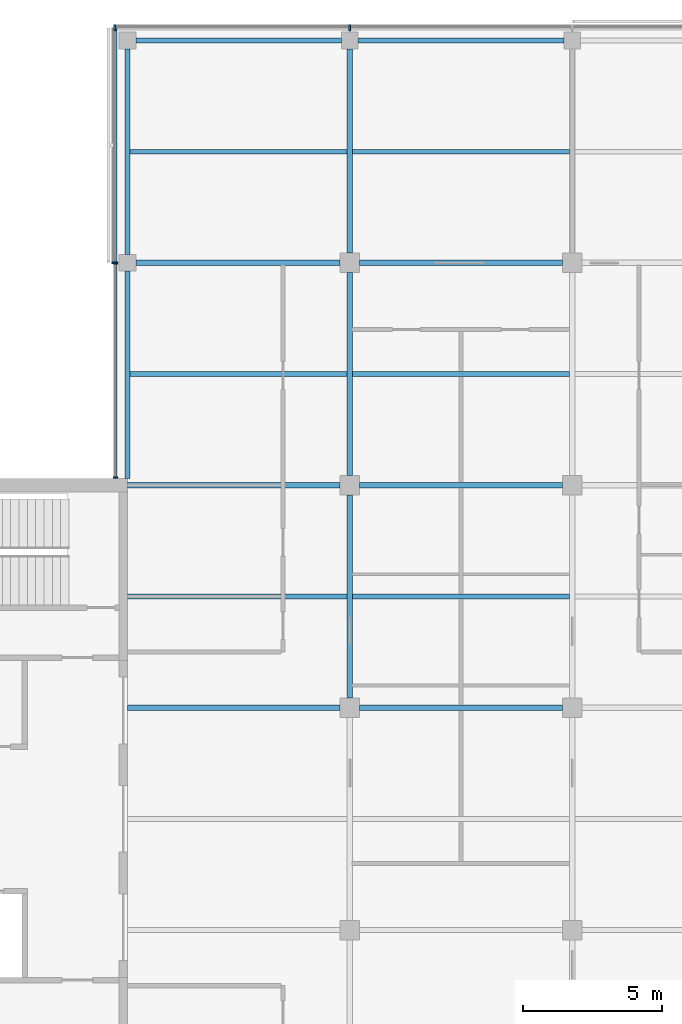
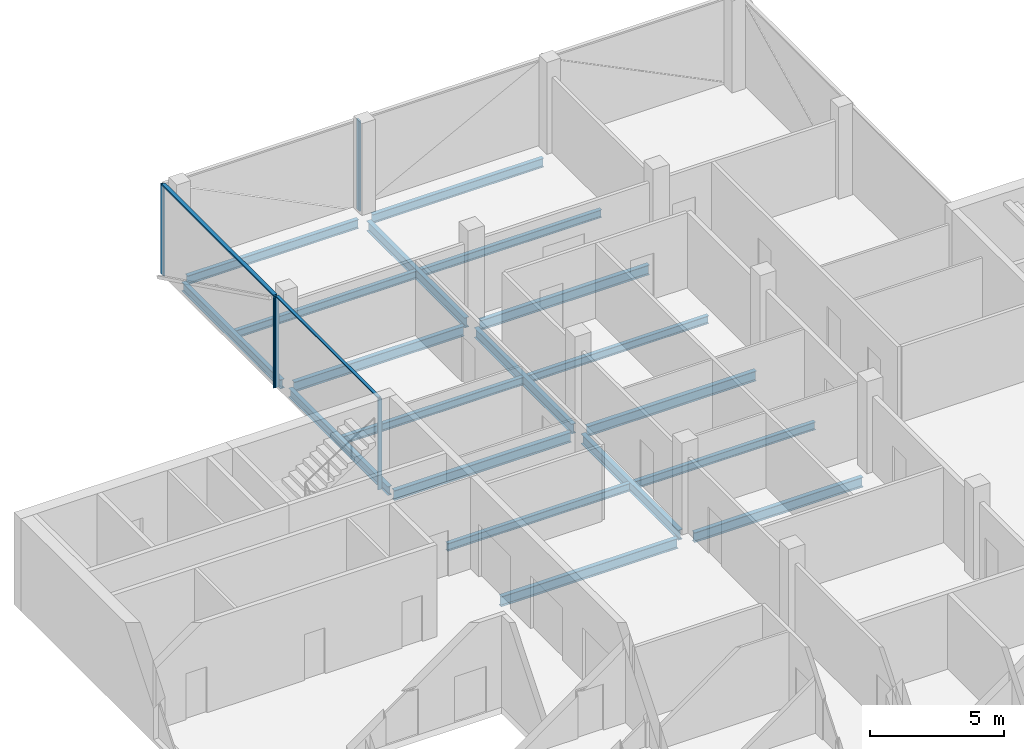
# One storey, part 5 of 16: 19 beams, 7 members, 3 elements without a shape of their own.
"""IFC4 building model written with IfcOpenShell, lengths in metres."""

from ifc_helpers import new_model, si_unit, direction, frame, origin, origin_2d, place, context, subcontext, project, spatial, rectangle, i_section, extrude, material, material_profile, profile_set, type_object, element, aggregate, save


model = new_model("IFC4")

# Units and contexts
model_context = context("Model", 3, precision=1e-05, world=origin(), true_north=direction((0.0, 1.0)))
body_context = subcontext(model_context, "Body", "Model", "MODEL_VIEW")
ifc_project = project(units=[si_unit("LENGTHUNIT", "METRE"), si_unit("AREAUNIT", "SQUARE_METRE"), si_unit("VOLUMEUNIT", "CUBIC_METRE"), si_unit("PLANEANGLEUNIT", "RADIAN"), si_unit("MASSUNIT", "GRAM", prefix="KILO")], contexts=[model_context])

# Site, building, storey
site_placement = place(None, origin())
site = spatial("IfcSite", under=ifc_project, at=site_placement, CompositionType="ELEMENT")
building_placement = place(site_placement, origin())
building = spatial("IfcBuilding", under=site, at=building_placement, Name="Crosswind Convention Tower", CompositionType="ELEMENT")
storey_placement = place(building_placement, frame((0.0, 0.0, 274.5)))
storey = spatial("IfcBuildingStorey", under=building, at=storey_placement, Name="L59", CompositionType="ELEMENT", Elevation=274.5)

# Beams
ifc_material_1 = material(Name="Steel S355", Category="steel")
ifc_material_profile_1 = material_profile(ifc_material_1, i_section(OverallWidth=0.177734375, OverallDepth=0.406494140625, WebThickness=0.0078125, FlangeThickness=0.0126953125, FilletRadius=0.01025390625, at=origin_2d()), Name="UB 406x178x60")
ifc_profile_set_1 = profile_set([ifc_material_profile_1], Name="Steel S355")
beam_type_1 = type_object("IfcBeamType", Name="Edge beam UB 406x178x60", PredefinedType="SPANDREL", material=ifc_profile_set_1)
beam_1_placement = place(storey_placement, frame((113.0, 112.25, -0.503173828125), z_axis=(0.0, 1.0, 0.0), x_axis=(-1.0, 0.0, 0.0)))
element("IfcBeam", 1, at=beam_1_placement, inside=storey, type_object=beam_type_1, Name="B15 L59 edge beam 3", PredefinedType="SPANDREL", context=body_context, shape_type="SweptSolid", body=[
    extrude(i_section(OverallWidth=0.177734375, OverallDepth=0.406494140625, WebThickness=0.0078125, FlangeThickness=0.0126953125, FilletRadius=0.01025390625, at=origin_2d()), origin(), (0.0, 0.0, 1.0), 7.449951171875),
])
for number, where, z_axis, x_axis, name in (
    (2, (113.0, 120.300048828125, -0.503173828125), (0.0, 1.0, 0.0), (-1.0, 0.0, 0.0), "B15 L59 edge beam 4"),
    (3, (113.300048828125, 128.0, -0.503173828125), (1.0, 0.0, 0.0), (0.0, 1.0, 0.0), "B15 L59 edge beam 6"),
    (4, (121.300048828125, 128.0, -0.503173828125), (1.0, 0.0, 0.0), (0.0, 1.0, 0.0), "B15 L59 edge beam 8"),
):
    element("IfcBeam", number, at=place(storey_placement, frame(where, z_axis=z_axis, x_axis=x_axis)), inside=storey, type_object=beam_type_1, Name=name, PredefinedType="SPANDREL", context=body_context, shape_type="SweptSolid", body=[
        extrude(i_section(OverallWidth=0.177734375, OverallDepth=0.406494140625, WebThickness=0.0078125, FlangeThickness=0.0126953125, FilletRadius=0.01025390625, at=origin_2d()), origin(), (0.0, 0.0, 1.0), 7.39990234375),
    ])
ifc_material_profile_2 = material_profile(ifc_material_1, i_section(OverallWidth=0.18994140625, OverallDepth=0.45361328125, WebThickness=0.008544921875, FlangeThickness=0.0126953125, FilletRadius=0.01025390625, at=origin_2d()), Name="UB 457x191x67")
ifc_profile_set_2 = profile_set([ifc_material_profile_2], Name="Steel S355")
beam_type_2 = type_object("IfcBeamType", Name="Girder UB 457x191x67", PredefinedType="BEAM", material=ifc_profile_set_2)
beam_2_placement = place(storey_placement, frame((113.300048828125, 120.0, -0.52685546875), z_axis=(1.0, 0.0, 0.0), x_axis=(0.0, 1.0, 0.0)))
element("IfcBeam", 5, at=beam_2_placement, inside=storey, type_object=beam_type_2, Name="B1 L59 girder 2", PredefinedType="BEAM", context=body_context, shape_type="SweptSolid", body=[
    extrude(i_section(OverallWidth=0.18994140625, OverallDepth=0.45361328125, WebThickness=0.008544921875, FlangeThickness=0.0126953125, FilletRadius=0.01025390625, at=origin_2d()), origin(), (0.0, 0.0, 1.0), 7.349853515625),
])
for number, where, z_axis, x_axis, name in (
    (6, (121.0, 104.35009765625, -0.52685546875), (0.0, 1.0, 0.0), (-1.0, 0.0, 0.0), "B1 L59 girder 7"),
    (7, (121.0, 112.35009765625, -0.52685546875), (0.0, 1.0, 0.0), (-1.0, 0.0, 0.0), "B1 L59 girder 8"),
):
    element("IfcBeam", number, at=place(storey_placement, frame(where, z_axis=z_axis, x_axis=x_axis)), inside=storey, type_object=beam_type_2, Name=name, PredefinedType="BEAM", context=body_context, shape_type="SweptSolid", body=[
        extrude(i_section(OverallWidth=0.18994140625, OverallDepth=0.45361328125, WebThickness=0.008544921875, FlangeThickness=0.0126953125, FilletRadius=0.01025390625, at=origin_2d()), origin(), (0.0, 0.0, 1.0), 7.2998046875),
    ])
beam_3_placement = place(storey_placement, frame((121.0, 120.35009765625, -0.52685546875), z_axis=(0.0, 1.0, 0.0), x_axis=(-1.0, 0.0, 0.0)))
element("IfcBeam", 8, at=beam_3_placement, inside=storey, type_object=beam_type_2, Name="B1 L59 girder 9", PredefinedType="BEAM", context=body_context, shape_type="SweptSolid", body=[
    extrude(i_section(OverallWidth=0.18994140625, OverallDepth=0.45361328125, WebThickness=0.008544921875, FlangeThickness=0.0126953125, FilletRadius=0.01025390625, at=origin_2d()), origin(), (0.0, 0.0, 1.0), 7.349853515625),
])
for number, where, z_axis, x_axis, name in (
    (9, (121.35009765625, 104.0, -0.52685546875), (1.0, 0.0, 0.0), (0.0, 1.0, 0.0), "B1 L59 girder 13"),
    (10, (121.35009765625, 112.0, -0.52685546875), (1.0, 0.0, 0.0), (0.0, 1.0, 0.0), "B1 L59 girder 14"),
    (11, (121.35009765625, 120.0, -0.52685546875), (1.0, 0.0, 0.0), (0.0, 1.0, 0.0), "B1 L59 girder 15"),
):
    element("IfcBeam", number, at=place(storey_placement, frame(where, z_axis=z_axis, x_axis=x_axis)), inside=storey, type_object=beam_type_2, Name=name, PredefinedType="BEAM", context=body_context, shape_type="SweptSolid", body=[
        extrude(i_section(OverallWidth=0.18994140625, OverallDepth=0.45361328125, WebThickness=0.008544921875, FlangeThickness=0.0126953125, FilletRadius=0.01025390625, at=origin_2d()), origin(), (0.0, 0.0, 1.0), 7.2998046875),
    ])
ifc_material_profile_3 = material_profile(ifc_material_1, i_section(OverallWidth=0.1904296875, OverallDepth=0.457275390625, WebThickness=0.009033203125, FlangeThickness=0.014404296875, FilletRadius=0.01025390625, at=origin_2d()), Name="UB 457x191x75")
ifc_profile_set_3 = profile_set([ifc_material_profile_3], Name="Steel S355")
beam_type_3 = type_object("IfcBeamType", Name="Girder at core wall UB 457x191x75", PredefinedType="BEAM", material=ifc_profile_set_3)
for number, where, z_axis, x_axis, name in (
    (12, (113.0, 104.0, -0.528564453125), (1.0, 0.0, 0.0), (0.0, 1.0, 0.0), "B22 L59 girder at core wall 3"),
    (13, (113.0, 112.0, -0.528564453125), (1.0, 0.0, 0.0), (0.0, 1.0, 0.0), "B22 L59 girder at core wall 4"),
):
    element("IfcBeam", number, at=place(storey_placement, frame(where, z_axis=z_axis, x_axis=x_axis)), inside=storey, type_object=beam_type_3, Name=name, PredefinedType="BEAM", context=body_context, shape_type="SweptSolid", body=[
        extrude(i_section(OverallWidth=0.1904296875, OverallDepth=0.457275390625, WebThickness=0.009033203125, FlangeThickness=0.014404296875, FilletRadius=0.01025390625, at=origin_2d()), origin(), (0.0, 0.0, 1.0), 7.64990234375),
    ])

# Curtain wall, members
ifc_material_2 = material(Name="Aluminium unitised curtain wall", Category="aluminium")
curtain_wall_type_1 = type_object("IfcCurtainWallType", Name="CORE END SLOT WALL 160", PredefinedType="USERDEFINED", material=ifc_material_2)
curtain_wall_1_placement = place(storey_placement, origin())
curtain_wall_1 = element("IfcCurtainWall", 14, at=curtain_wall_1_placement, inside=storey, type_object=curtain_wall_type_1, Name="CW6 L59 N-W.1-2 slot", ObjectType="UNITISED", PredefinedType="USERDEFINED")
ifc_material_3 = material(Name="Aluminium mullion", Category="aluminium")
ifc_material_profile_4 = material_profile(ifc_material_3, rectangle(XDim=0.159912109375, YDim=0.050048828125, at=origin_2d()), Name="AL 160X50")
ifc_profile_set_4 = profile_set([ifc_material_profile_4], Name="Aluminium mullion")
member_type_1 = type_object("IfcMemberType", Name="MULLION 50X160", PredefinedType="MULLION", material=ifc_profile_set_4)
member_1_placement = place(storey_placement, frame((112.570068359375, 119.97509765625, -0.300048828125), z_axis=(0.0, 0.0, 1.0), x_axis=(-1.0, 0.0, 0.0)))
member_1 = element("IfcMember", 15, at=member_1_placement, type_object=member_type_1, Name="CW6 mullion 1", PredefinedType="MULLION", context=body_context, shape_type="SweptSolid", body=[
    extrude(rectangle(XDim=0.159912109375, YDim=0.050048828125, at=origin_2d()), origin(), (0.0, 0.0, 1.0), 4.150146484375),
])
member_2_placement = place(storey_placement, frame((112.570068359375, 112.27490234375, -0.300048828125), z_axis=(0.0, 0.0, 1.0), x_axis=(-1.0, 0.0, 0.0)))
member_2 = element("IfcMember", 16, at=member_2_placement, type_object=member_type_1, Name="CW6 mullion 2", PredefinedType="MULLION", context=body_context, shape_type="SweptSolid", body=[
    extrude(rectangle(XDim=0.159912109375, YDim=0.050048828125, at=origin_2d()), origin(), (0.0, 0.0, 1.0), 4.150146484375),
])

curtain_wall_type_2 = type_object("IfcCurtainWallType", Name="OFFICE UNITISED WALL 220", PredefinedType="USERDEFINED", material=ifc_material_2)
curtain_wall_2_placement = place(storey_placement, origin())
curtain_wall_2 = element("IfcCurtainWall", 17, at=curtain_wall_2_placement, inside=storey, type_object=curtain_wall_type_2, Name="CW3 L59 N-TIP 1", ObjectType="UNITISED", PredefinedType="USERDEFINED")
ifc_material_profile_5 = material_profile(ifc_material_3, rectangle(XDim=0.219970703125, YDim=0.070068359375, at=origin_2d()), Name="AL 220X70")
ifc_profile_set_5 = profile_set([ifc_material_profile_5], Name="Aluminium mullion")
member_type_2 = type_object("IfcMemberType", Name="MULLION 70X220", PredefinedType="MULLION", material=ifc_profile_set_5)
member_3_placement = place(storey_placement, frame((121.0, 128.4599609375, -0.300048828125), z_axis=(0.0, 0.0, 1.0), x_axis=(0.0, 1.0, 0.0)))
member_3 = element("IfcMember", 18, at=member_3_placement, type_object=member_type_2, Name="CW3 mullion 3", PredefinedType="MULLION", context=body_context, shape_type="SweptSolid", body=[
    extrude(rectangle(XDim=0.219970703125, YDim=0.070068359375, at=origin_2d()), origin(), (0.0, 0.0, 1.0), 4.130126953125),
])
member_4_placement = place(storey_placement, frame((112.5400390625, 128.4599609375, -0.300048828125), z_axis=(0.0, 0.0, 1.0), x_axis=(0.0, 1.0, 0.0)))
member_4 = element("IfcMember", 19, at=member_4_placement, type_object=member_type_2, Name="CW3 mullion 4", PredefinedType="MULLION", context=body_context, shape_type="SweptSolid", body=[
    extrude(rectangle(XDim=0.219970703125, YDim=0.070068359375, at=origin_2d()), origin(), (0.0, 0.0, 1.0), 4.130126953125),
])
aggregate(curtain_wall_2, [member_3, member_4])

# Curtain wall, member
curtain_wall_3_placement = place(storey_placement, origin())
curtain_wall_3 = element("IfcCurtainWall", 20, at=curtain_wall_3_placement, inside=storey, type_object=curtain_wall_type_2, Name="CW3 L59 N-W 1", ObjectType="UNITISED", PredefinedType="USERDEFINED")
member_5_placement = place(storey_placement, frame((112.5400390625, 120.0, -0.300048828125), z_axis=(0.0, 0.0, 1.0), x_axis=(-1.0, 0.0, 0.0)))
member_5 = element("IfcMember", 21, at=member_5_placement, type_object=member_type_2, Name="CW3 mullion 2", PredefinedType="MULLION", context=body_context, shape_type="SweptSolid", body=[
    extrude(rectangle(XDim=0.219970703125, YDim=0.070068359375, at=origin_2d()), origin(), (0.0, 0.0, 1.0), 4.130126953125),
])

# Beams
ifc_material_profile_6 = material_profile(ifc_material_1, i_section(OverallWidth=0.17138671875, OverallDepth=0.355712890625, WebThickness=0.00732421875, FlangeThickness=0.011474609375, FilletRadius=0.01025390625, at=origin_2d()), Name="UB 356x171x51")
ifc_profile_set_6 = profile_set([ifc_material_profile_6], Name="Steel S355")
beam_type_4 = type_object("IfcBeamType", Name="Secondary beam UB 356x171x51", PredefinedType="JOIST", material=ifc_profile_set_6)
beam_4_placement = place(storey_placement, frame((113.0, 108.0, -0.477783203125), z_axis=(1.0, 0.0, 0.0), x_axis=(0.0, 1.0, 0.0)))
element("IfcBeam", 22, at=beam_4_placement, inside=storey, type_object=beam_type_4, Name="B8 L59 secondary beam 3", PredefinedType="JOIST", context=body_context, shape_type="SweptSolid", body=[
    extrude(i_section(OverallWidth=0.17138671875, OverallDepth=0.355712890625, WebThickness=0.00732421875, FlangeThickness=0.011474609375, FilletRadius=0.01025390625, at=origin_2d()), origin(), (0.0, 0.0, 1.0), 7.905029296875),
])
for number, where, z_axis, x_axis, name in (
    (23, (113.0888671875, 116.0, -0.477783203125), (1.0, 0.0, 0.0), (0.0, 1.0, 0.0), "B8 L59 secondary beam 6"),
    (24, (113.0888671875, 124.0, -0.477783203125), (1.0, 0.0, 0.0), (0.0, 1.0, 0.0), "B8 L59 secondary beam 7"),
):
    element("IfcBeam", number, at=place(storey_placement, frame(where, z_axis=z_axis, x_axis=x_axis)), inside=storey, type_object=beam_type_4, Name=name, PredefinedType="JOIST", context=body_context, shape_type="SweptSolid", body=[
        extrude(i_section(OverallWidth=0.17138671875, OverallDepth=0.355712890625, WebThickness=0.00732421875, FlangeThickness=0.011474609375, FilletRadius=0.01025390625, at=origin_2d()), origin(), (0.0, 0.0, 1.0), 7.816162109375),
    ])
for number, where, z_axis, x_axis, name in (
    (25, (121.094970703125, 108.0, -0.477783203125), (1.0, 0.0, 0.0), (0.0, 1.0, 0.0), "B8 L59 secondary beam 12"),
    (26, (121.094970703125, 116.0, -0.477783203125), (1.0, 0.0, 0.0), (0.0, 1.0, 0.0), "B8 L59 secondary beam 13"),
    (27, (121.094970703125, 124.0, -0.477783203125), (1.0, 0.0, 0.0), (0.0, 1.0, 0.0), "B8 L59 secondary beam 14"),
):
    element("IfcBeam", number, at=place(storey_placement, frame(where, z_axis=z_axis, x_axis=x_axis)), inside=storey, type_object=beam_type_4, Name=name, PredefinedType="JOIST", context=body_context, shape_type="SweptSolid", body=[
        extrude(i_section(OverallWidth=0.17138671875, OverallDepth=0.355712890625, WebThickness=0.00732421875, FlangeThickness=0.011474609375, FilletRadius=0.01025390625, at=origin_2d()), origin(), (0.0, 0.0, 1.0), 7.81005859375),
    ])

# Member
ifc_material_4 = material(Name="Aluminium transom", Category="aluminium")
ifc_material_profile_7 = material_profile(ifc_material_4, rectangle(XDim=0.1201171875, YDim=0.050048828125, at=origin_2d()), Name="AL 120X50")
ifc_profile_set_7 = profile_set([ifc_material_profile_7], Name="Aluminium transom")
member_type_3 = type_object("IfcMemberType", Name="TRANSOM 50X120", PredefinedType="USERDEFINED", material=ifc_profile_set_7)
member_6_placement = place(storey_placement, frame((112.570068359375, 119.949951171875, 3.875), z_axis=(0.0, -1.0, 0.0), x_axis=(1.0, 0.0, 0.0)))
member_6 = element("IfcMember", 28, at=member_6_placement, type_object=member_type_3, Name="CW6 transom", ObjectType="TRANSOM", PredefinedType="USERDEFINED", context=body_context, shape_type="SweptSolid", body=[
    extrude(rectangle(XDim=0.1201171875, YDim=0.050048828125, at=origin_2d()), origin(), (0.0, 0.0, 1.0), 7.64990234375),
])

aggregate(curtain_wall_1, [member_1, member_2, member_6])

ifc_material_profile_8 = material_profile(ifc_material_4, rectangle(XDim=0.159912109375, YDim=0.070068359375, at=origin_2d()), Name="AL 160X70")
ifc_profile_set_8 = profile_set([ifc_material_profile_8], Name="Aluminium transom")
member_type_4 = type_object("IfcMemberType", Name="TRANSOM 70X160", PredefinedType="USERDEFINED", material=ifc_profile_set_8)
member_7_placement = place(storey_placement, frame((112.5400390625, 128.425048828125, 3.864990234375), z_axis=(0.0, -1.0, 0.0), x_axis=(1.0, 0.0, 0.0)))
member_7 = element("IfcMember", 29, at=member_7_placement, type_object=member_type_4, Name="CW3 transom", ObjectType="TRANSOM", PredefinedType="USERDEFINED", context=body_context, shape_type="SweptSolid", body=[
    extrude(rectangle(XDim=0.159912109375, YDim=0.070068359375, at=origin_2d()), origin(), (0.0, 0.0, 1.0), 8.39013671875),
])

aggregate(curtain_wall_3, [member_5, member_7])

save(model, "model.ifc")
